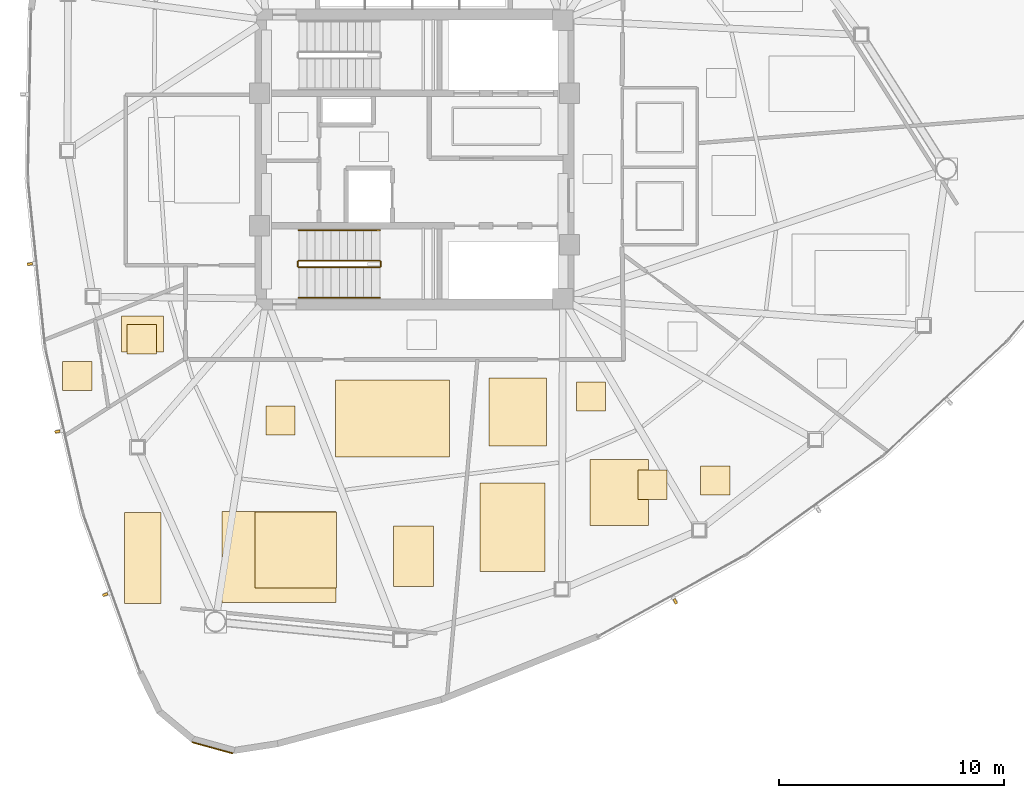
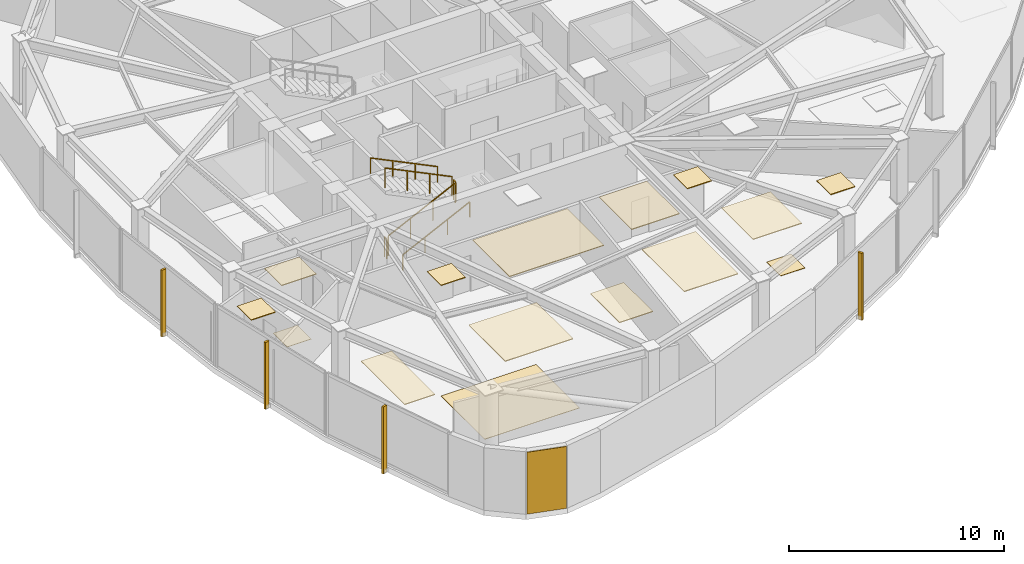
# One storey, part 14 of 17: 16 coverings, 6 railings, 4 shading devices.
"""IFC4 building model written with IfcOpenShell, lengths in metres."""

from ifc_helpers import new_model, si_unit, direction, frame, origin, origin_2d, place, context, subcontext, project, spatial, polyline, rectangle, outline, extrude, source, transform, mapped, material, layer, layer_set, type_object, type_shapes, element, save


model = new_model("IFC4")

# Units and contexts
model_context = context("Model", 3, precision=1e-05, world=origin(), true_north=direction((0.0, 1.0)))
body_context = subcontext(model_context, "Body", "Model", "MODEL_VIEW")
ifc_project = project(units=[si_unit("LENGTHUNIT", "METRE"), si_unit("AREAUNIT", "SQUARE_METRE"), si_unit("VOLUMEUNIT", "CUBIC_METRE"), si_unit("PLANEANGLEUNIT", "RADIAN"), si_unit("MASSUNIT", "GRAM", prefix="KILO")], contexts=[model_context])

# Site, building, storey
site_placement = place(None, origin())
site = spatial("IfcSite", under=ifc_project, at=site_placement, CompositionType="ELEMENT")
building_placement = place(site_placement, origin())
building = spatial("IfcBuilding", under=site, at=building_placement, Name="Tavelor Broadcast Tower", CompositionType="ELEMENT")
storey_placement = place(building_placement, frame((0.0, 0.0, 169.5)))
storey = spatial("IfcBuildingStorey", under=building, at=storey_placement, Name="L40", CompositionType="ELEMENT", Elevation=169.5)

# Covering
ifc_material_1 = material(Name="Copper-Bronze Anodized Aluminium", Category="aluminium")
ifc_layer_1 = layer(ifc_material_1, 0.050048828125)
ifc_layer_set_1 = layer_set([ifc_layer_1], Name="Copper-Bronze Anodized Aluminium")
covering_type_1 = type_object("IfcCoveringType", Name="Champagne-Bronze Corner Pier Metal Cladding 50 mm", PredefinedType="CLADDING", material=ifc_layer_set_1)
covering_1_placement = place(storey_placement, frame((41.003662109375, 18.81103515625, 0.02001953125), z_axis=(0.0, 0.0, 1.0), x_axis=(0.963863295733, -0.266397348219, 0.0)))
element("IfcCovering", 1, at=covering_1_placement, inside=storey, type_object=covering_type_1, Name="L40 Champagne-Bronze Corner Cladding 13", PredefinedType="CLADDING", context=body_context, shape_type="SweptSolid", body=[
    extrude(rectangle(XDim=1.885009765625, YDim=0.050048828125, at=origin_2d()), origin(), (0.0, 0.0, 1.0), 3.510009765625),
])

# Railings
ifc_material_2 = material(Name="Steel S355", Category="steel")
railing_type_1 = type_object("IfcRailingType", Name="Continuous Brushed Stainless Handrail 900 mm", PredefinedType="HANDRAIL", material=ifc_material_2)
railing_1_placement = place(storey_placement, frame((44.85009765625, 38.85009765625, 0.175048828125)))
element("IfcRailing", 2, at=railing_1_placement, inside=storey, type_object=railing_type_1, Name="L40 ST2 stair handrail 1", PredefinedType="HANDRAIL", context=body_context, shape_type="SweptSolid", body=[
    extrude(rectangle(XDim=0.048095703125, YDim=0.048095703125, at=origin_2d()), frame((0.0, 0.0, 0.8759765625), z_axis=(0.899360859046, 0.0, 0.437207096483), x_axis=(0.0, 1.0, 0.0)), (0.0, 0.0, 1.0), 4.002685546875),
    extrude(rectangle(XDim=0.0419921875, YDim=0.0419921875, at=origin_2d()), origin(), (0.0, 0.0, 1.0), 0.851806640625),
    extrude(rectangle(XDim=0.0419921875, YDim=0.0419921875, at=origin_2d()), frame((1.199951171875, 0.0, 0.583251953125)), (0.0, 0.0, 1.0), 0.851806640625),
    extrude(rectangle(XDim=0.0419921875, YDim=0.0419921875, at=origin_2d()), frame((2.39990234375, 0.0, 1.166748046875)), (0.0, 0.0, 1.0), 0.851806640625),
    extrude(rectangle(XDim=0.0419921875, YDim=0.0419921875, at=origin_2d()), frame((3.599853515625, 0.0, 1.75)), (0.0, 0.0, 1.0), 0.851806640625),
])
railing_2_placement = place(storey_placement, frame((48.449951171875, 41.85009765625, 2.10009765625)))
element("IfcRailing", 3, at=railing_2_placement, inside=storey, type_object=railing_type_1, Name="L40 ST2 stair handrail 2", PredefinedType="HANDRAIL", context=body_context, shape_type="SweptSolid", body=[
    extrude(rectangle(XDim=0.048095703125, YDim=0.048095703125, at=origin_2d()), frame((0.0, 0.0, 0.8759765625), z_axis=(-0.899360859046, 0.0, 0.437207096483), x_axis=(0.0, -1.0, 0.0)), (0.0, 0.0, 1.0), 4.002685546875),
    extrude(rectangle(XDim=0.0419921875, YDim=0.0419921875, at=origin_2d()), origin(), (0.0, 0.0, 1.0), 0.851806640625),
    extrude(rectangle(XDim=0.0419921875, YDim=0.0419921875, at=origin_2d()), frame((-1.199951171875, 0.0, 0.583251953125)), (0.0, 0.0, 1.0), 0.851806640625),
    extrude(rectangle(XDim=0.0419921875, YDim=0.0419921875, at=origin_2d()), frame((-2.39990234375, 0.0, 1.166748046875)), (0.0, 0.0, 1.0), 0.851806640625),
    extrude(rectangle(XDim=0.0419921875, YDim=0.0419921875, at=origin_2d()), frame((-3.599853515625, 0.0, 1.75)), (0.0, 0.0, 1.0), 0.851806640625),
])

# Coverings
ifc_material_3 = material(Name="Acoustic Nylon Carpet Tile")
ifc_layer_2 = layer(ifc_material_3, 0.02001953125)
ifc_layer_set_2 = layer_set([ifc_layer_2], Name="Acoustic Nylon Carpet Tile")
covering_type_2 = type_object("IfcCoveringType", Name="Heavy-Duty Acoustic Broadcast Carpet Tile 20 mm", PredefinedType="FLOORING", material=ifc_layer_set_2)
covering_2_placement = place(storey_placement, origin())
element("IfcCovering", 4, at=covering_2_placement, inside=storey, type_object=covering_type_2, Name="L40 Broadcast Floor Finish 0586", PredefinedType="FLOORING", context=body_context, shape_type="SweptSolid", body=[
    extrude(outline(polyline([(59.946044921875, 29.867431640625), (61.24609375, 29.867431640625), (61.24609375, 31.16748046875), (59.946044921875, 31.16748046875), (59.946044921875, 29.867431640625)])), origin(), (0.0, 0.0, 1.0), 0.02001953125),
])
covering_3_placement = place(storey_placement, origin())
element("IfcCovering", 5, at=covering_3_placement, inside=storey, type_object=covering_type_2, Name="L40 Broadcast Floor Finish 0587", PredefinedType="FLOORING", context=body_context, shape_type="SweptSolid", body=[
    extrude(outline(polyline([(41.41748046875, 25.282470703125), (46.510009765625, 25.282470703125), (46.510009765625, 29.33544921875), (41.41748046875, 29.33544921875), (41.41748046875, 25.282470703125)])), origin(), (0.0, 0.0, 1.0), 0.02001953125),
])
covering_4_placement = place(storey_placement, origin())
element("IfcCovering", 6, at=covering_4_placement, inside=storey, type_object=covering_type_2, Name="L40 Broadcast Floor Finish 0591", PredefinedType="FLOORING", context=body_context, shape_type="SweptSolid", body=[
    extrude(outline(polyline([(37.200927734375, 36.343994140625), (38.5009765625, 36.343994140625), (38.5009765625, 37.643798828125), (37.200927734375, 37.643798828125), (37.200927734375, 36.343994140625)])), origin(), (0.0, 0.0, 1.0), 0.02001953125),
])

# Railings
railing_type_2 = type_object("IfcRailingType", Name="Stairwell Steel Safety Guardrail 1150 mm", PredefinedType="GUARDRAIL", material=ifc_material_2)
railing_3_placement = place(storey_placement, frame((44.85009765625, 40.199951171875, 0.175048828125)))
element("IfcRailing", 7, at=railing_3_placement, inside=storey, type_object=railing_type_2, Name="L40 ST2 stair guard 1", PredefinedType="GUARDRAIL", context=body_context, shape_type="SweptSolid", body=[
    extrude(rectangle(XDim=0.048095703125, YDim=0.048095703125, at=origin_2d()), frame((0.0, 0.0, 1.1259765625), z_axis=(0.899360859046, 0.0, 0.437207096483), x_axis=(0.0, 1.0, 0.0)), (0.0, 0.0, 1.0), 4.002685546875),
    extrude(rectangle(XDim=0.0419921875, YDim=0.0419921875, at=origin_2d()), origin(), (0.0, 0.0, 1.0), 1.101806640625),
    extrude(rectangle(XDim=0.0419921875, YDim=0.0419921875, at=origin_2d()), frame((1.199951171875, 0.0, 0.583251953125)), (0.0, 0.0, 1.0), 1.101806640625),
    extrude(rectangle(XDim=0.0419921875, YDim=0.0419921875, at=origin_2d()), frame((2.39990234375, 0.0, 1.166748046875)), (0.0, 0.0, 1.0), 1.101806640625),
    extrude(rectangle(XDim=0.0419921875, YDim=0.0419921875, at=origin_2d()), frame((3.599853515625, 0.0, 1.75)), (0.0, 0.0, 1.0), 1.101806640625),
])
railing_4_placement = place(storey_placement, frame((48.5, 40.25, 1.925048828125)))
element("IfcRailing", 8, at=railing_4_placement, inside=storey, type_object=railing_type_2, Name="L40 ST2 stair guard 2", PredefinedType="GUARDRAIL", context=body_context, shape_type="SweptSolid", body=[
    extrude(rectangle(XDim=0.048095703125, YDim=0.048095703125, at=origin_2d()), frame((0.0, 0.0, 1.1259765625), z_axis=(0.0, 1.0, 0.0), x_axis=(-1.0, 0.0, 0.0)), (0.0, 0.0, 1.0), 0.199951171875),
    extrude(rectangle(XDim=0.0419921875, YDim=0.0419921875, at=origin_2d()), origin(), (0.0, 0.0, 1.0), 1.101806640625),
    extrude(rectangle(XDim=0.0419921875, YDim=0.0419921875, at=origin_2d()), frame((0.0, 0.199951171875, 0.0)), (0.0, 0.0, 1.0), 1.101806640625),
])
railing_5_placement = place(storey_placement, frame((48.449951171875, 40.5, 2.10009765625)))
element("IfcRailing", 9, at=railing_5_placement, inside=storey, type_object=railing_type_2, Name="L40 ST2 stair guard 3", PredefinedType="GUARDRAIL", context=body_context, shape_type="SweptSolid", body=[
    extrude(rectangle(XDim=0.048095703125, YDim=0.048095703125, at=origin_2d()), frame((0.0, 0.0, 1.1259765625), z_axis=(-0.899360859046, 0.0, 0.437207096483), x_axis=(0.0, -1.0, 0.0)), (0.0, 0.0, 1.0), 4.002685546875),
    extrude(rectangle(XDim=0.0419921875, YDim=0.0419921875, at=origin_2d()), origin(), (0.0, 0.0, 1.0), 1.101806640625),
    extrude(rectangle(XDim=0.0419921875, YDim=0.0419921875, at=origin_2d()), frame((-1.199951171875, 0.0, 0.583251953125)), (0.0, 0.0, 1.0), 1.101806640625),
    extrude(rectangle(XDim=0.0419921875, YDim=0.0419921875, at=origin_2d()), frame((-2.39990234375, 0.0, 1.166748046875)), (0.0, 0.0, 1.0), 1.101806640625),
    extrude(rectangle(XDim=0.0419921875, YDim=0.0419921875, at=origin_2d()), frame((-3.599853515625, 0.0, 1.75)), (0.0, 0.0, 1.0), 1.101806640625),
])
railing_6_placement = place(storey_placement, frame((44.800048828125, 40.25, 0.0)))
element("IfcRailing", 10, at=railing_6_placement, inside=storey, type_object=railing_type_2, Name="L40 ST2 stair guard 4", PredefinedType="GUARDRAIL", context=body_context, shape_type="SweptSolid", body=[
    extrude(rectangle(XDim=0.048095703125, YDim=0.048095703125, at=origin_2d()), frame((0.0, 0.0, 1.1259765625), z_axis=(0.0, 1.0, 0.0), x_axis=(-1.0, 0.0, 0.0)), (0.0, 0.0, 1.0), 0.199951171875),
    extrude(rectangle(XDim=0.0419921875, YDim=0.0419921875, at=origin_2d()), origin(), (0.0, 0.0, 1.0), 1.101806640625),
    extrude(rectangle(XDim=0.0419921875, YDim=0.0419921875, at=origin_2d()), frame((0.0, 0.199951171875, 0.0)), (0.0, 0.0, 1.0), 1.101806640625),
])

# Coverings
ifc_material_4 = material(Name="Acoustic Mineral Fibre Tile")
ifc_layer_3 = layer(ifc_material_4, 0.0400390625)
ifc_layer_set_3 = layer_set([ifc_layer_3], Name="Acoustic Mineral Fibre Tile")
covering_type_3 = type_object("IfcCoveringType", Name="Suspended Acoustic Mineral-Fibre Office Ceiling 40 mm", PredefinedType="CEILING", material=ifc_layer_set_3)
covering_5_placement = place(storey_placement, frame((0.0, 0.0, 3.510009765625)))
element("IfcCovering", 11, at=covering_5_placement, inside=storey, type_object=covering_type_3, Name="L40 Suspended Acoustic Ceiling 1659", PredefinedType="CEILING", context=body_context, shape_type="SweptSolid", body=[
    extrude(outline(polyline([(52.917236328125, 26.654052734375), (55.805908203125, 26.654052734375), (55.805908203125, 30.59716796875), (52.917236328125, 30.59716796875), (52.917236328125, 26.654052734375)])), origin(), (0.0, 0.0, 1.0), 0.0400390625),
])
covering_6_placement = place(storey_placement, frame((0.0, 0.0, 3.510009765625)))
element("IfcCovering", 12, at=covering_6_placement, inside=storey, type_object=covering_type_3, Name="L40 Suspended Acoustic Ceiling 1660", PredefinedType="CEILING", context=body_context, shape_type="SweptSolid", body=[
    extrude(outline(polyline([(53.3173828125, 32.235107421875), (55.88232421875, 32.235107421875), (55.88232421875, 35.26416015625), (53.3173828125, 35.26416015625), (53.3173828125, 32.235107421875)])), origin(), (0.0, 0.0, 1.0), 0.0400390625),
])
covering_7_placement = place(storey_placement, frame((0.0, 0.0, 3.510009765625)))
element("IfcCovering", 13, at=covering_7_placement, inside=storey, type_object=covering_type_3, Name="L40 Suspended Acoustic Ceiling 1661", PredefinedType="CEILING", context=body_context, shape_type="SweptSolid", body=[
    extrude(outline(polyline([(57.20849609375, 33.800048828125), (58.508544921875, 33.800048828125), (58.508544921875, 35.10009765625), (57.20849609375, 35.10009765625), (57.20849609375, 33.800048828125)])), origin(), (0.0, 0.0, 1.0), 0.0400390625),
])
covering_8_placement = place(storey_placement, frame((0.0, 0.0, 3.510009765625)))
element("IfcCovering", 14, at=covering_8_placement, inside=storey, type_object=covering_type_3, Name="L40 Suspended Acoustic Ceiling 1662", PredefinedType="CEILING", context=body_context, shape_type="SweptSolid", body=[
    extrude(outline(polyline([(62.7353515625, 30.05615234375), (64.035400390625, 30.05615234375), (64.035400390625, 31.356201171875), (62.7353515625, 31.356201171875), (62.7353515625, 30.05615234375)])), origin(), (0.0, 0.0, 1.0), 0.0400390625),
])
covering_9_placement = place(storey_placement, frame((0.0, 0.0, 3.510009765625)))
element("IfcCovering", 15, at=covering_9_placement, inside=storey, type_object=covering_type_3, Name="L40 Suspended Acoustic Ceiling 1663", PredefinedType="CEILING", context=body_context, shape_type="SweptSolid", body=[
    extrude(outline(polyline([(57.80078125, 28.716064453125), (60.418212890625, 28.716064453125), (60.418212890625, 31.65087890625), (57.80078125, 31.65087890625), (57.80078125, 28.716064453125)])), origin(), (0.0, 0.0, 1.0), 0.0400390625),
])
covering_10_placement = place(storey_placement, frame((0.0, 0.0, 3.510009765625)))
element("IfcCovering", 16, at=covering_10_placement, inside=storey, type_object=covering_type_3, Name="L40 Suspended Acoustic Ceiling 1664", PredefinedType="CEILING", context=body_context, shape_type="SweptSolid", body=[
    extrude(outline(polyline([(46.48876953125, 31.765625), (51.5537109375, 31.765625), (51.5537109375, 35.1875), (46.48876953125, 35.1875), (46.48876953125, 31.765625)])), origin(), (0.0, 0.0, 1.0), 0.0400390625),
])
covering_11_placement = place(storey_placement, frame((0.0, 0.0, 3.510009765625)))
element("IfcCovering", 17, at=covering_11_placement, inside=storey, type_object=covering_type_3, Name="L40 Suspended Acoustic Ceiling 1665", PredefinedType="CEILING", context=body_context, shape_type="SweptSolid", body=[
    extrude(outline(polyline([(49.0546875, 25.985595703125), (50.84716796875, 25.985595703125), (50.84716796875, 28.692138671875), (49.0546875, 28.692138671875), (49.0546875, 25.985595703125)])), origin(), (0.0, 0.0, 1.0), 0.0400390625),
])
covering_12_placement = place(storey_placement, frame((0.0, 0.0, 3.510009765625)))
element("IfcCovering", 18, at=covering_12_placement, inside=storey, type_object=covering_type_3, Name="L40 Suspended Acoustic Ceiling 1666", PredefinedType="CEILING", context=body_context, shape_type="SweptSolid", body=[
    extrude(outline(polyline([(42.8876953125, 25.924560546875), (46.53515625, 25.924560546875), (46.53515625, 29.311279296875), (42.8876953125, 29.311279296875), (42.8876953125, 25.924560546875)])), origin(), (0.0, 0.0, 1.0), 0.0400390625),
])
covering_13_placement = place(storey_placement, frame((0.0, 0.0, 3.510009765625)))
element("IfcCovering", 19, at=covering_13_placement, inside=storey, type_object=covering_type_3, Name="L40 Suspended Acoustic Ceiling 1667", PredefinedType="CEILING", context=body_context, shape_type="SweptSolid", body=[
    extrude(outline(polyline([(37.094970703125, 25.225341796875), (38.72216796875, 25.225341796875), (38.72216796875, 29.282958984375), (37.094970703125, 29.282958984375), (37.094970703125, 25.225341796875)])), origin(), (0.0, 0.0, 1.0), 0.0400390625),
])
covering_14_placement = place(storey_placement, frame((0.0, 0.0, 3.510009765625)))
element("IfcCovering", 20, at=covering_14_placement, inside=storey, type_object=covering_type_3, Name="L40 Suspended Acoustic Ceiling 1668", PredefinedType="CEILING", context=body_context, shape_type="SweptSolid", body=[
    extrude(outline(polyline([(43.381591796875, 32.73583984375), (44.681640625, 32.73583984375), (44.681640625, 34.035888671875), (43.381591796875, 34.035888671875), (43.381591796875, 32.73583984375)])), origin(), (0.0, 0.0, 1.0), 0.0400390625),
])
covering_15_placement = place(storey_placement, frame((0.0, 0.0, 3.510009765625)))
element("IfcCovering", 21, at=covering_15_placement, inside=storey, type_object=covering_type_3, Name="L40 Suspended Acoustic Ceiling 1669", PredefinedType="CEILING", context=body_context, shape_type="SweptSolid", body=[
    extrude(outline(polyline([(34.33349609375, 34.71533203125), (35.633544921875, 34.71533203125), (35.633544921875, 36.015380859375), (34.33349609375, 36.015380859375), (34.33349609375, 34.71533203125)])), origin(), (0.0, 0.0, 1.0), 0.0400390625),
])
covering_16_placement = place(storey_placement, frame((0.0, 0.0, 3.510009765625)))
element("IfcCovering", 22, at=covering_16_placement, inside=storey, type_object=covering_type_3, Name="L40 Suspended Acoustic Ceiling 1685", PredefinedType="CEILING", context=body_context, shape_type="SweptSolid", body=[
    extrude(outline(polyline([(36.958740234375, 36.43310546875), (38.821044921875, 36.43310546875), (38.821044921875, 38.0283203125), (36.958740234375, 38.0283203125), (36.958740234375, 36.43310546875)])), origin(), (0.0, 0.0, 1.0), 0.0400390625),
])

# Shading devices
ifc_material_5 = material(Name="Kiln-Fired Glazed Terracotta", Category="masonry")
shading_device_type = type_object("IfcShadingDeviceType", Name="Extruded Terracotta Baguette Sun-Screen 110x240", PredefinedType="JALOUSIE", material=ifc_material_5)
shared_shape = source(origin(), body_context, "Body", "SweptSolid", [
    extrude(rectangle(XDim=0.110107421875, YDim=0.239990234375, at=origin_2d()), origin(), (0.0, 0.0, 1.0), 3.7900390625),
])
type_shapes(shading_device_type, [shared_shape])
for number, where, z_axis, x_axis, name in (
    (23, (32.872802734375, 40.347412109375, -0.260009765625), (0.0, 0.0, 1.0), (0.102445313747, -0.99473863788, 0.0), "L40 Terracotta Baguette Fin 410"),
    (24, (34.101318359375, 32.88720703125, -0.260009765625), (0.0, 0.0, 1.0), (0.222059054235, -0.975033218117, 0.0), "L40 Terracotta Baguette Fin 411"),
    (25, (36.2236328125, 25.63037109375, -0.260009765625), (0.0, 0.0, 1.0), (0.338409470269, -0.94099895347, 0.0), "L40 Terracotta Baguette Fin 412"),
    (26, (61.60888671875, 25.32470703125, -0.260009765625), (0.0, 0.0, 1.0), (0.875295776291, 0.483587948575, 0.0), "L40 Terracotta Baguette Fin 413"),
):
    element("IfcShadingDevice", number, at=place(storey_placement, frame(where, z_axis=z_axis, x_axis=x_axis)), inside=storey, type_object=shading_device_type, Name=name, PredefinedType="JALOUSIE", context=body_context, shape_type="MappedRepresentation", body=[
        mapped(shared_shape, transform((0.0, 0.0, 0.0), scale=1.0)),
    ])

save(model, "model.ifc")
